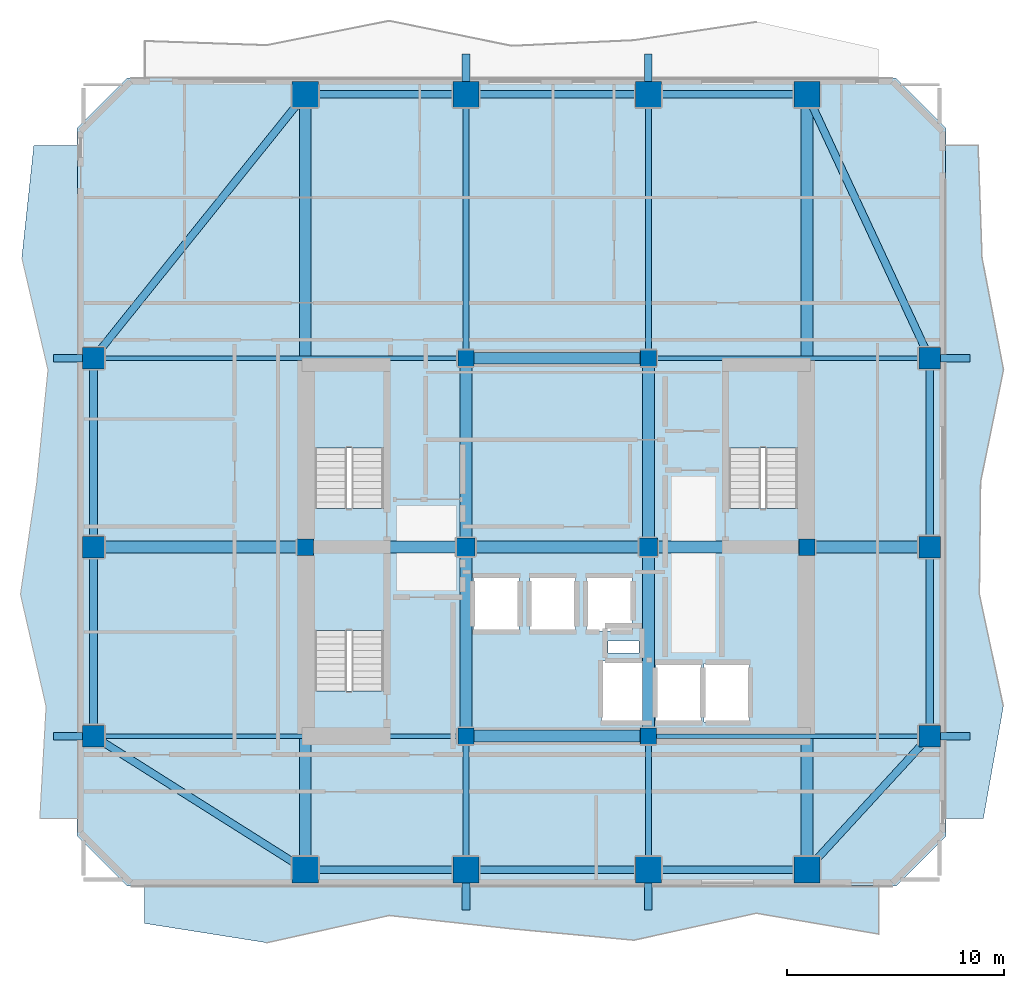
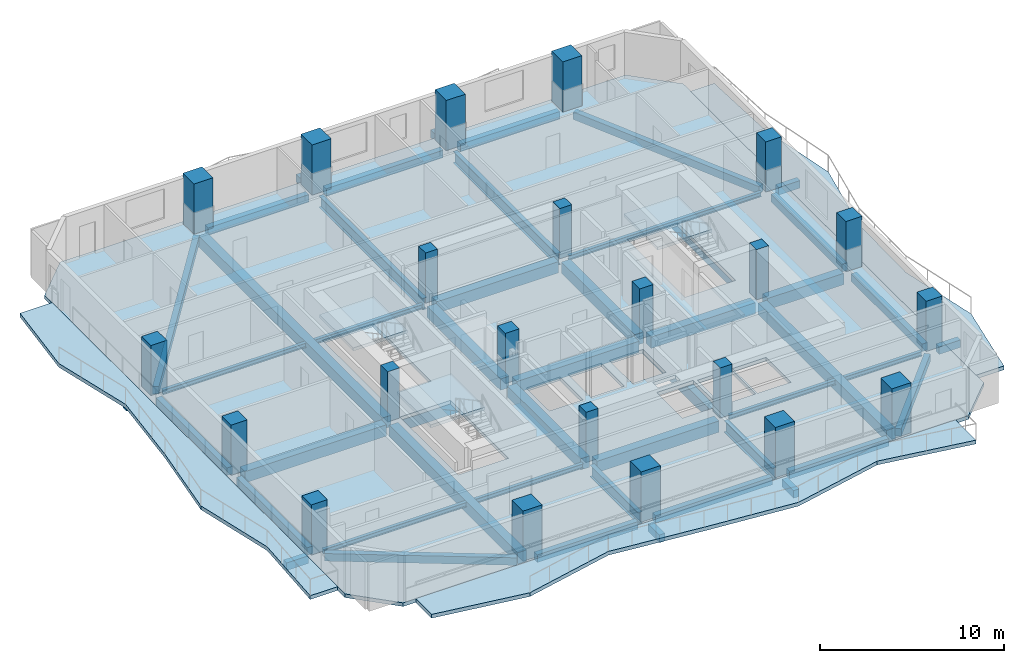
# One storey, part 1 of 10: 45 beams, 22 columns, 7 slabs, 3 elements without a shape of their own.
"""IFC4 building model written with IfcOpenShell, lengths in metres."""

from ifc_helpers import new_model, si_unit, direction, frame, origin, origin_2d, place, context, subcontext, project, spatial, polyline, rectangle, i_section, outline, extrude, material, layer, layer_set, material_profile, profile_set, type_object, element, aggregate, save


model = new_model("IFC4")

# Units and contexts
model_context = context("Model", 3, precision=1e-05, world=origin(), true_north=direction((0.0, 1.0)))
body_context = subcontext(model_context, "Body", "Model", "MODEL_VIEW")
ifc_project = project(units=[si_unit("LENGTHUNIT", "METRE"), si_unit("AREAUNIT", "SQUARE_METRE"), si_unit("VOLUMEUNIT", "CUBIC_METRE"), si_unit("PLANEANGLEUNIT", "RADIAN"), si_unit("MASSUNIT", "GRAM", prefix="KILO")], contexts=[model_context])

# Site, building, storey
site_placement = place(None, origin())
site = spatial("IfcSite", under=ifc_project, at=site_placement, CompositionType="ELEMENT")
building_placement = place(site_placement, origin())
building = spatial("IfcBuilding", under=site, at=building_placement, Name="Solanera Arch Residences", CompositionType="ELEMENT")
storey_placement = place(building_placement, frame((0.0, 0.0, 176.8798828125)))
storey = spatial("IfcBuildingStorey", under=building, at=storey_placement, Name="L51", CompositionType="ELEMENT", Elevation=176.8798828125)

# Columns
ifc_material_1 = material(Name="Concrete C55/67 (f'c = 60 MPa)", Category="concrete")
ifc_material_profile_1 = material_profile(ifc_material_1, rectangle(XDim=1.0, YDim=1.0, at=origin_2d()))
ifc_profile_set_1 = profile_set([ifc_material_profile_1], Name="Concrete C55/67 (f'c = 60 MPa)")
column_type_1 = type_object("IfcColumnType", Name="Structural Column RC-COL-1000X1000", PredefinedType="COLUMN", material=ifc_profile_set_1)
for number, where, z_axis, x_axis, name in (
    (1, (3.64990234375, 22.0, 0.0), (0.0, 0.0, 1.0), (1.0, 0.0, 0.0), "COL-L51-TWR-09"),
    (2, (42.14990234375, 22.0, 0.0), (0.0, 0.0, 1.0), (1.0, 0.0, 0.0), "COL-L51-TWR-10"),
    (3, (3.64990234375, 30.699951171875, 0.0), (0.0, 0.0, 1.0), (1.0, 0.0, 0.0), "COL-L51-TWR-11"),
    (4, (42.14990234375, 30.699951171875, 0.0), (0.0, 0.0, 1.0), (1.0, 0.0, 0.0), "COL-L51-TWR-12"),
    (5, (3.64990234375, 39.39990234375, 0.0), (0.0, 0.0, 1.0), (1.0, 0.0, 0.0), "COL-L51-TWR-13"),
    (6, (42.14990234375, 39.39990234375, 0.0), (0.0, 0.0, 1.0), (1.0, 0.0, 0.0), "COL-L51-TWR-14"),
):
    element("IfcColumn", number, at=place(storey_placement, frame(where, z_axis=z_axis, x_axis=x_axis)), inside=storey, type_object=column_type_1, Name=name, PredefinedType="COLUMN", context=body_context, shape_type="SweptSolid", body=[
        extrude(rectangle(XDim=1.0, YDim=1.0, at=origin_2d()), origin(), (0.0, 0.0, 1.0), 3.320068359375),
    ])
ifc_material_2 = material(Name="Concrete C55/67 (f'c = 60 MPa)", Category="concrete")
ifc_material_profile_2 = material_profile(ifc_material_2, rectangle(XDim=1.199951171875, YDim=1.199951171875, at=origin_2d()))
ifc_profile_set_2 = profile_set([ifc_material_profile_2], Name="Concrete C55/67 (f'c = 60 MPa)")
column_type_2 = type_object("IfcColumnType", Name="Structural Column RC-COL-1200X1200", PredefinedType="COLUMN", material=ifc_profile_set_2)
for number, where, z_axis, x_axis, name in (
    (7, (13.39990234375, 15.85009765625, 0.0), (0.0, 0.0, 1.0), (1.0, 0.0, 0.0), "COL-L51-TWR-01"),
    (8, (13.39990234375, 51.550048828125, 0.0), (0.0, 0.0, 1.0), (1.0, 0.0, 0.0), "COL-L51-TWR-02"),
    (9, (20.800048828125, 15.85009765625, 0.0), (0.0, 0.0, 1.0), (1.0, 0.0, 0.0), "COL-L51-TWR-03"),
    (10, (20.800048828125, 51.550048828125, 0.0), (0.0, 0.0, 1.0), (1.0, 0.0, 0.0), "COL-L51-TWR-04"),
    (11, (29.199951171875, 15.85009765625, 0.0), (0.0, 0.0, 1.0), (1.0, 0.0, 0.0), "COL-L51-TWR-05"),
    (12, (29.199951171875, 51.550048828125, 0.0), (0.0, 0.0, 1.0), (1.0, 0.0, 0.0), "COL-L51-TWR-06"),
    (13, (36.5, 15.85009765625, 0.0), (0.0, 0.0, 1.0), (1.0, 0.0, 0.0), "COL-L51-TWR-07"),
    (14, (36.5, 51.550048828125, 0.0), (0.0, 0.0, 1.0), (1.0, 0.0, 0.0), "COL-L51-TWR-08"),
):
    element("IfcColumn", number, at=place(storey_placement, frame(where, z_axis=z_axis, x_axis=x_axis)), inside=storey, type_object=column_type_2, Name=name, PredefinedType="COLUMN", context=body_context, shape_type="SweptSolid", body=[
        extrude(rectangle(XDim=1.199951171875, YDim=1.199951171875, at=origin_2d()), origin(), (0.0, 0.0, 1.0), 3.320068359375),
    ])
ifc_material_3 = material(Name="Concrete C40/50 (f'c = 45 MPa)", Category="concrete")
ifc_material_profile_3 = material_profile(ifc_material_3, rectangle(XDim=0.75, YDim=0.75, at=origin_2d()))
ifc_profile_set_3 = profile_set([ifc_material_profile_3], Name="Concrete C40/50 (f'c = 45 MPa)")
column_type_3 = type_object("IfcColumnType", Name="Structural Column RC-COL-750X750", PredefinedType="COLUMN", material=ifc_profile_set_3)
for number, where, z_axis, x_axis, name in (
    (15, (20.800048828125, 22.0, 0.0), (0.0, 0.0, 1.0), (1.0, 0.0, 0.0), "COL-L51-CB-SW"),
    (16, (29.199951171875, 22.0, 0.0), (0.0, 0.0, 1.0), (1.0, 0.0, 0.0), "COL-L51-CB-SE"),
    (17, (20.800048828125, 39.39990234375, 0.0), (0.0, 0.0, 1.0), (1.0, 0.0, 0.0), "COL-L51-CB-NW"),
    (18, (29.199951171875, 39.39990234375, 0.0), (0.0, 0.0, 1.0), (1.0, 0.0, 0.0), "COL-L51-CB-NE"),
    (19, (13.39990234375, 30.699951171875, 0.0), (0.0, 0.0, 1.0), (1.0, 0.0, 0.0), "COL-L51-CB-WW"),
    (20, (36.5, 30.699951171875, 0.0), (0.0, 0.0, 1.0), (1.0, 0.0, 0.0), "COL-L51-CB-EE"),
):
    element("IfcColumn", number, at=place(storey_placement, frame(where, z_axis=z_axis, x_axis=x_axis)), inside=storey, type_object=column_type_3, Name=name, PredefinedType="COLUMN", context=body_context, shape_type="SweptSolid", body=[
        extrude(rectangle(XDim=0.75, YDim=0.75, at=origin_2d()), origin(), (0.0, 0.0, 1.0), 3.320068359375),
    ])
ifc_material_4 = material(Name="Concrete C40/50 (f'c = 45 MPa)", Category="concrete")
ifc_material_profile_4 = material_profile(ifc_material_4, rectangle(XDim=0.85009765625, YDim=0.85009765625, at=origin_2d()))
ifc_profile_set_4 = profile_set([ifc_material_profile_4], Name="Concrete C40/50 (f'c = 45 MPa)")
column_type_4 = type_object("IfcColumnType", Name="Structural Column RC-COL-850X850", PredefinedType="COLUMN", material=ifc_profile_set_4)
for number, where, z_axis, x_axis, name in (
    (21, (20.800048828125, 30.699951171875, 0.0), (0.0, 0.0, 1.0), (1.0, 0.0, 0.0), "COL-L51-CORE-W"),
    (22, (29.199951171875, 30.699951171875, 0.0), (0.0, 0.0, 1.0), (1.0, 0.0, 0.0), "COL-L51-CORE-E"),
):
    element("IfcColumn", number, at=place(storey_placement, frame(where, z_axis=z_axis, x_axis=x_axis)), inside=storey, type_object=column_type_4, Name=name, PredefinedType="COLUMN", context=body_context, shape_type="SweptSolid", body=[
        extrude(rectangle(XDim=0.85009765625, YDim=0.85009765625, at=origin_2d()), origin(), (0.0, 0.0, 1.0), 3.320068359375),
    ])

# Beams
ifc_material_5 = material(Name="Concrete C40/50 (f'c = 45 MPa)", Category="concrete")
ifc_material_profile_5 = material_profile(ifc_material_5, rectangle(XDim=0.35009765625, YDim=0.5, at=origin_2d()))
ifc_profile_set_5 = profile_set([ifc_material_profile_5], Name="Concrete C40/50 (f'c = 45 MPa)")
beam_type_1 = type_object("IfcBeamType", Name="BM-BALC-RIB", PredefinedType="BEAM", material=ifc_profile_set_5)
for number, where, z_axis, x_axis, name in (
    (23, (20.800048828125, 14.0, -0.5), (0.0, 1.0, 0.0), (-1.0, 0.0, 0.0), "BM-L51-BRIB-S1"),
    (24, (29.199951171875, 14.0, -0.5), (0.0, 1.0, 0.0), (-1.0, 0.0, 0.0), "BM-L51-BRIB-S2"),
    (25, (20.800048828125, 52.14990234375, -0.5), (0.0, 1.0, 0.0), (-1.0, 0.0, 0.0), "BM-L51-BRIB-N1"),
    (26, (29.199951171875, 52.14990234375, -0.5), (0.0, 1.0, 0.0), (-1.0, 0.0, 0.0), "BM-L51-BRIB-N2"),
):
    element("IfcBeam", number, at=place(storey_placement, frame(where, z_axis=z_axis, x_axis=x_axis)), inside=storey, type_object=beam_type_1, Name=name, PredefinedType="BEAM", context=body_context, shape_type="SweptSolid", body=[
        extrude(rectangle(XDim=0.35009765625, YDim=0.5, at=origin_2d()), origin(), (0.0, 0.0, 1.0), 1.25),
    ])
for number, where, z_axis, x_axis, name in (
    (27, (42.64990234375, 22.0, -0.5), (1.0, 0.0, 0.0), (0.0, 1.0, 0.0), "BM-L51-BRIB-E1"),
    (28, (42.64990234375, 39.39990234375, -0.5), (1.0, 0.0, 0.0), (0.0, 1.0, 0.0), "BM-L51-BRIB-E2"),
):
    element("IfcBeam", number, at=place(storey_placement, frame(where, z_axis=z_axis, x_axis=x_axis)), inside=storey, type_object=beam_type_1, Name=name, PredefinedType="BEAM", context=body_context, shape_type="SweptSolid", body=[
        extrude(rectangle(XDim=0.35009765625, YDim=0.5, at=origin_2d()), origin(), (0.0, 0.0, 1.0), 1.35009765625),
    ])
for number, where, z_axis, x_axis, name in (
    (29, (1.800048828125, 22.0, -0.5), (1.0, 0.0, 0.0), (0.0, 1.0, 0.0), "BM-L51-BRIB-W1"),
    (30, (1.800048828125, 39.39990234375, -0.5), (1.0, 0.0, 0.0), (0.0, 1.0, 0.0), "BM-L51-BRIB-W2"),
):
    element("IfcBeam", number, at=place(storey_placement, frame(where, z_axis=z_axis, x_axis=x_axis)), inside=storey, type_object=beam_type_1, Name=name, PredefinedType="BEAM", context=body_context, shape_type="SweptSolid", body=[
        extrude(rectangle(XDim=0.35009765625, YDim=0.5, at=origin_2d()), origin(), (0.0, 0.0, 1.0), 1.349853515625),
    ])
ifc_material_6 = material(Name="Concrete C40/50 (f'c = 45 MPa)", Category="concrete")
ifc_material_profile_6 = material_profile(ifc_material_6, rectangle(XDim=0.550048828125, YDim=0.75, at=origin_2d()))
ifc_profile_set_6 = profile_set([ifc_material_profile_6], Name="Concrete C40/50 (f'c = 45 MPa)")
beam_type_2 = type_object("IfcBeamType", Name="Primary Beam RC-BM-550X750", PredefinedType="BEAM", material=ifc_profile_set_6)
beam_1_placement = place(storey_placement, frame((20.800048828125, 22.37890625, -0.614990234375), z_axis=(0.0, 1.0, 0.0), x_axis=(-1.0, 0.0, 0.0)))
element("IfcBeam", 31, at=beam_1_placement, inside=storey, type_object=beam_type_2, Name="BM-L51-CC-S-208", PredefinedType="BEAM", context=body_context, shape_type="SweptSolid", body=[
    extrude(rectangle(XDim=0.550048828125, YDim=0.75, at=origin_2d()), origin(), (0.0, 0.0, 1.0), 7.942138671875),
])
beam_2_placement = place(storey_placement, frame((20.800048828125, 31.0791015625, -0.614990234375), z_axis=(0.0, 1.0, 0.0), x_axis=(-1.0, 0.0, 0.0)))
element("IfcBeam", 32, at=beam_2_placement, inside=storey, type_object=beam_type_2, Name="BM-L51-CC-N-208", PredefinedType="BEAM", context=body_context, shape_type="SweptSolid", body=[
    extrude(rectangle(XDim=0.550048828125, YDim=0.75, at=origin_2d()), origin(), (0.0, 0.0, 1.0), 7.94189453125),
])
beam_3_placement = place(storey_placement, frame((29.199951171875, 22.37890625, -0.614990234375), z_axis=(0.0, 1.0, 0.0), x_axis=(-1.0, 0.0, 0.0)))
element("IfcBeam", 33, at=beam_3_placement, inside=storey, type_object=beam_type_2, Name="BM-L51-CC-S-292", PredefinedType="BEAM", context=body_context, shape_type="SweptSolid", body=[
    extrude(rectangle(XDim=0.550048828125, YDim=0.75, at=origin_2d()), origin(), (0.0, 0.0, 1.0), 7.942138671875),
])
beam_4_placement = place(storey_placement, frame((29.199951171875, 31.0791015625, -0.614990234375), z_axis=(0.0, 1.0, 0.0), x_axis=(-1.0, 0.0, 0.0)))
element("IfcBeam", 34, at=beam_4_placement, inside=storey, type_object=beam_type_2, Name="BM-L51-CC-N-292", PredefinedType="BEAM", context=body_context, shape_type="SweptSolid", body=[
    extrude(rectangle(XDim=0.550048828125, YDim=0.75, at=origin_2d()), origin(), (0.0, 0.0, 1.0), 7.94189453125),
])
for number, where, z_axis, x_axis, name in (
    (35, (21.178955078125, 22.0, -0.614990234375), (1.0, 0.0, 0.0), (0.0, 1.0, 0.0), "BM-L51-CC-M-220"),
    (36, (21.178955078125, 30.699951171875, -0.614990234375), (1.0, 0.0, 0.0), (0.0, 1.0, 0.0), "BM-L51-CC-M-307"),
    (37, (21.178955078125, 39.39990234375, -0.614990234375), (1.0, 0.0, 0.0), (0.0, 1.0, 0.0), "BM-L51-CC-M-394"),
):
    element("IfcBeam", number, at=place(storey_placement, frame(where, z_axis=z_axis, x_axis=x_axis)), inside=storey, type_object=beam_type_2, Name=name, PredefinedType="BEAM", context=body_context, shape_type="SweptSolid", body=[
        extrude(rectangle(XDim=0.550048828125, YDim=0.75, at=origin_2d()), origin(), (0.0, 0.0, 1.0), 7.64208984375),
    ])
beam_5_placement = place(storey_placement, frame((13.779052734375, 30.699951171875, -0.614990234375), z_axis=(1.0, 0.0, 0.0), x_axis=(0.0, 1.0, 0.0)))
element("IfcBeam", 38, at=beam_5_placement, inside=storey, type_object=beam_type_2, Name="BM-L51-CC-W", PredefinedType="BEAM", context=body_context, shape_type="SweptSolid", body=[
    extrude(rectangle(XDim=0.550048828125, YDim=0.75, at=origin_2d()), origin(), (0.0, 0.0, 1.0), 6.641845703125),
])
beam_6_placement = place(storey_placement, frame((29.5791015625, 30.699951171875, -0.614990234375), z_axis=(1.0, 0.0, 0.0), x_axis=(0.0, 1.0, 0.0)))
element("IfcBeam", 39, at=beam_6_placement, inside=storey, type_object=beam_type_2, Name="BM-L51-CC-E", PredefinedType="BEAM", context=body_context, shape_type="SweptSolid", body=[
    extrude(rectangle(XDim=0.550048828125, YDim=0.75, at=origin_2d()), origin(), (0.0, 0.0, 1.0), 6.5419921875),
])
beam_7_placement = place(storey_placement, frame((13.39990234375, 16.389892578125, -0.614990234375), z_axis=(0.0, 1.0, 0.0), x_axis=(-1.0, 0.0, 0.0)))
element("IfcBeam", 40, at=beam_7_placement, inside=storey, type_object=beam_type_2, Name="BM-L51-RAD-OS-134", PredefinedType="BEAM", context=body_context, shape_type="SweptSolid", body=[
    extrude(rectangle(XDim=0.550048828125, YDim=0.75, at=origin_2d()), origin(), (0.0, 0.0, 1.0), 13.93115234375),
])
beam_8_placement = place(storey_placement, frame((13.39990234375, 31.0791015625, -0.614990234375), z_axis=(0.0, 1.0, 0.0), x_axis=(-1.0, 0.0, 0.0)))
element("IfcBeam", 41, at=beam_8_placement, inside=storey, type_object=beam_type_2, Name="BM-L51-RAD-ON-134", PredefinedType="BEAM", context=body_context, shape_type="SweptSolid", body=[
    extrude(rectangle(XDim=0.550048828125, YDim=0.75, at=origin_2d()), origin(), (0.0, 0.0, 1.0), 19.930908203125),
])
beam_9_placement = place(storey_placement, frame((36.5, 16.389892578125, -0.614990234375), z_axis=(0.0, 1.0, 0.0), x_axis=(-1.0, 0.0, 0.0)))
element("IfcBeam", 42, at=beam_9_placement, inside=storey, type_object=beam_type_2, Name="BM-L51-RAD-OS-365", PredefinedType="BEAM", context=body_context, shape_type="SweptSolid", body=[
    extrude(rectangle(XDim=0.550048828125, YDim=0.75, at=origin_2d()), origin(), (0.0, 0.0, 1.0), 13.93115234375),
])
beam_10_placement = place(storey_placement, frame((36.5, 31.0791015625, -0.614990234375), z_axis=(0.0, 1.0, 0.0), x_axis=(-1.0, 0.0, 0.0)))
element("IfcBeam", 43, at=beam_10_placement, inside=storey, type_object=beam_type_2, Name="BM-L51-RAD-ON-365", PredefinedType="BEAM", context=body_context, shape_type="SweptSolid", body=[
    extrude(rectangle(XDim=0.550048828125, YDim=0.75, at=origin_2d()), origin(), (0.0, 0.0, 1.0), 19.930908203125),
])
beam_11_placement = place(storey_placement, frame((4.154052734375, 30.699951171875, -0.614990234375), z_axis=(1.0, 0.0, 0.0), x_axis=(0.0, 1.0, 0.0)))
element("IfcBeam", 44, at=beam_11_placement, inside=storey, type_object=beam_type_2, Name="BM-L51-RAD-MW", PredefinedType="BEAM", context=body_context, shape_type="SweptSolid", body=[
    extrude(rectangle(XDim=0.550048828125, YDim=0.75, at=origin_2d()), origin(), (0.0, 0.0, 1.0), 8.866943359375),
])
beam_12_placement = place(storey_placement, frame((36.87890625, 30.699951171875, -0.614990234375), z_axis=(1.0, 0.0, 0.0), x_axis=(0.0, 1.0, 0.0)))
element("IfcBeam", 45, at=beam_12_placement, inside=storey, type_object=beam_type_2, Name="BM-L51-RAD-ME", PredefinedType="BEAM", context=body_context, shape_type="SweptSolid", body=[
    extrude(rectangle(XDim=0.550048828125, YDim=0.75, at=origin_2d()), origin(), (0.0, 0.0, 1.0), 4.76708984375),
])
ifc_material_7 = material(Name="Steel S355 (ASTM A992 / A572 Grade 50)", Category="steel")
ifc_material_profile_7 = material_profile(ifc_material_7, i_section(OverallWidth=0.26806640625, OverallDepth=0.77001953125, WebThickness=0.015625, FlangeThickness=0.025390625, at=origin_2d()))
ifc_profile_set_7 = profile_set([ifc_material_profile_7], Name="Steel S355 (ASTM A992 / A572 Grade 50)")
beam_type_3 = type_object("IfcBeamType", Name="Primary Beam W760X196", PredefinedType="BEAM", material=ifc_profile_set_7)
beam_13_placement = place(storey_placement, frame((20.800048828125, 16.389892578125, -0.625), z_axis=(0.0, 1.0, 0.0), x_axis=(-1.0, 0.0, 0.0)))
element("IfcBeam", 46, at=beam_13_placement, inside=storey, type_object=beam_type_3, Name="BM-L51-RAD-S-208", PredefinedType="BEAM", context=body_context, shape_type="SweptSolid", body=[
    extrude(i_section(OverallWidth=0.26806640625, OverallDepth=0.77001953125, WebThickness=0.015625, FlangeThickness=0.025390625, at=origin_2d()), origin(), (0.0, 0.0, 1.0), 5.231201171875),
])
beam_14_placement = place(storey_placement, frame((20.800048828125, 39.779052734375, -0.625), z_axis=(0.0, 1.0, 0.0), x_axis=(-1.0, 0.0, 0.0)))
element("IfcBeam", 47, at=beam_14_placement, inside=storey, type_object=beam_type_3, Name="BM-L51-RAD-N-208", PredefinedType="BEAM", context=body_context, shape_type="SweptSolid", body=[
    extrude(i_section(OverallWidth=0.26806640625, OverallDepth=0.77001953125, WebThickness=0.015625, FlangeThickness=0.025390625, at=origin_2d()), origin(), (0.0, 0.0, 1.0), 11.23095703125),
])
beam_15_placement = place(storey_placement, frame((29.199951171875, 16.389892578125, -0.625), z_axis=(0.0, 1.0, 0.0), x_axis=(-1.0, 0.0, 0.0)))
element("IfcBeam", 48, at=beam_15_placement, inside=storey, type_object=beam_type_3, Name="BM-L51-RAD-S-292", PredefinedType="BEAM", context=body_context, shape_type="SweptSolid", body=[
    extrude(i_section(OverallWidth=0.26806640625, OverallDepth=0.77001953125, WebThickness=0.015625, FlangeThickness=0.025390625, at=origin_2d()), origin(), (0.0, 0.0, 1.0), 5.231201171875),
])
beam_16_placement = place(storey_placement, frame((29.199951171875, 39.779052734375, -0.625), z_axis=(0.0, 1.0, 0.0), x_axis=(-1.0, 0.0, 0.0)))
element("IfcBeam", 49, at=beam_16_placement, inside=storey, type_object=beam_type_3, Name="BM-L51-RAD-N-292", PredefinedType="BEAM", context=body_context, shape_type="SweptSolid", body=[
    extrude(i_section(OverallWidth=0.26806640625, OverallDepth=0.77001953125, WebThickness=0.015625, FlangeThickness=0.025390625, at=origin_2d()), origin(), (0.0, 0.0, 1.0), 11.23095703125),
])
ifc_material_8 = material(Name="Steel S355 (ASTM A992 / A572 Grade 50)", Category="steel")
ifc_material_profile_8 = material_profile(ifc_material_8, i_section(OverallWidth=0.202880859375, OverallDepth=0.302978515625, WebThickness=0.007568359375, FlangeThickness=0.01318359375, at=origin_2d()))
ifc_profile_set_8 = profile_set([ifc_material_profile_8], Name="Steel S355 (ASTM A992 / A572 Grade 50)")
beam_type_4 = type_object("IfcBeamType", Name="Secondary Joist W310X60", PredefinedType="JOIST", material=ifc_profile_set_8)
beam_17_placement = place(storey_placement, frame((4.154052734375, 22.0, -0.391845703125), z_axis=(1.0, 0.0, 0.0), x_axis=(0.0, 1.0, 0.0)))
element("IfcBeam", 50, at=beam_17_placement, inside=storey, type_object=beam_type_4, Name="BM-L51-RAD-W-220", PredefinedType="JOIST", context=body_context, shape_type="SweptSolid", body=[
    extrude(i_section(OverallWidth=0.202880859375, OverallDepth=0.302978515625, WebThickness=0.007568359375, FlangeThickness=0.01318359375, at=origin_2d()), origin(), (0.0, 0.0, 1.0), 16.266845703125),
])
beam_18_placement = place(storey_placement, frame((29.5791015625, 22.0, -0.391845703125), z_axis=(1.0, 0.0, 0.0), x_axis=(0.0, 1.0, 0.0)))
element("IfcBeam", 51, at=beam_18_placement, inside=storey, type_object=beam_type_4, Name="BM-L51-RAD-E-220", PredefinedType="JOIST", context=body_context, shape_type="SweptSolid", body=[
    extrude(i_section(OverallWidth=0.202880859375, OverallDepth=0.302978515625, WebThickness=0.007568359375, FlangeThickness=0.01318359375, at=origin_2d()), origin(), (0.0, 0.0, 1.0), 12.06689453125),
])
beam_19_placement = place(storey_placement, frame((4.154052734375, 39.39990234375, -0.391845703125), z_axis=(1.0, 0.0, 0.0), x_axis=(0.0, 1.0, 0.0)))
element("IfcBeam", 52, at=beam_19_placement, inside=storey, type_object=beam_type_4, Name="BM-L51-RAD-W-394", PredefinedType="JOIST", context=body_context, shape_type="SweptSolid", body=[
    extrude(i_section(OverallWidth=0.202880859375, OverallDepth=0.302978515625, WebThickness=0.007568359375, FlangeThickness=0.01318359375, at=origin_2d()), origin(), (0.0, 0.0, 1.0), 16.266845703125),
])
beam_20_placement = place(storey_placement, frame((29.5791015625, 39.39990234375, -0.391845703125), z_axis=(1.0, 0.0, 0.0), x_axis=(0.0, 1.0, 0.0)))
element("IfcBeam", 53, at=beam_20_placement, inside=storey, type_object=beam_type_4, Name="BM-L51-RAD-E-394", PredefinedType="JOIST", context=body_context, shape_type="SweptSolid", body=[
    extrude(i_section(OverallWidth=0.202880859375, OverallDepth=0.302978515625, WebThickness=0.007568359375, FlangeThickness=0.01318359375, at=origin_2d()), origin(), (0.0, 0.0, 1.0), 12.06689453125),
])
ifc_material_9 = material(Name="Concrete C40/50 (f'c = 45 MPa)", Category="concrete")
ifc_material_profile_9 = material_profile(ifc_material_9, rectangle(XDim=0.35009765625, YDim=0.5, at=origin_2d()))
ifc_profile_set_9 = profile_set([ifc_material_profile_9], Name="Concrete C40/50 (f'c = 45 MPa)")
beam_type_5 = type_object("IfcBeamType", Name="Spandrel Beam RC-BM-350X500", PredefinedType="SPANDREL", material=ifc_profile_set_9)
for number, where, z_axis, x_axis, name in (
    (54, (13.93994140625, 15.85009765625, -0.489990234375), (1.0, 0.0, 0.0), (0.0, 1.0, 0.0), "BM-L51-SPN-S-1"),
    (55, (13.93994140625, 51.550048828125, -0.489990234375), (1.0, 0.0, 0.0), (0.0, 1.0, 0.0), "BM-L51-SPN-N-1"),
):
    element("IfcBeam", number, at=place(storey_placement, frame(where, z_axis=z_axis, x_axis=x_axis)), inside=storey, type_object=beam_type_5, Name=name, PredefinedType="SPANDREL", context=body_context, shape_type="SweptSolid", body=[
        extrude(rectangle(XDim=0.35009765625, YDim=0.5, at=origin_2d()), origin(), (0.0, 0.0, 1.0), 6.320068359375),
    ])
for number, where, z_axis, x_axis, name in (
    (56, (21.340087890625, 15.85009765625, -0.489990234375), (1.0, 0.0, 0.0), (0.0, 1.0, 0.0), "BM-L51-SPN-S-2"),
    (57, (21.340087890625, 51.550048828125, -0.489990234375), (1.0, 0.0, 0.0), (0.0, 1.0, 0.0), "BM-L51-SPN-N-2"),
):
    element("IfcBeam", number, at=place(storey_placement, frame(where, z_axis=z_axis, x_axis=x_axis)), inside=storey, type_object=beam_type_5, Name=name, PredefinedType="SPANDREL", context=body_context, shape_type="SweptSolid", body=[
        extrude(rectangle(XDim=0.35009765625, YDim=0.5, at=origin_2d()), origin(), (0.0, 0.0, 1.0), 7.31982421875),
    ])
for number, where, z_axis, x_axis, name in (
    (58, (29.739990234375, 15.85009765625, -0.489990234375), (1.0, 0.0, 0.0), (0.0, 1.0, 0.0), "BM-L51-SPN-S-3"),
    (59, (29.739990234375, 51.550048828125, -0.489990234375), (1.0, 0.0, 0.0), (0.0, 1.0, 0.0), "BM-L51-SPN-N-3"),
):
    element("IfcBeam", number, at=place(storey_placement, frame(where, z_axis=z_axis, x_axis=x_axis)), inside=storey, type_object=beam_type_5, Name=name, PredefinedType="SPANDREL", context=body_context, shape_type="SweptSolid", body=[
        extrude(rectangle(XDim=0.35009765625, YDim=0.5, at=origin_2d()), origin(), (0.0, 0.0, 1.0), 6.219970703125),
    ])
for number, where, z_axis, x_axis, name in (
    (60, (3.64990234375, 22.50390625, -0.489990234375), (0.0, 1.0, 0.0), (-1.0, 0.0, 0.0), "BM-L51-SPN-W-1"),
    (61, (42.14990234375, 22.50390625, -0.489990234375), (0.0, 1.0, 0.0), (-1.0, 0.0, 0.0), "BM-L51-SPN-E-1"),
):
    element("IfcBeam", number, at=place(storey_placement, frame(where, z_axis=z_axis, x_axis=x_axis)), inside=storey, type_object=beam_type_5, Name=name, PredefinedType="SPANDREL", context=body_context, shape_type="SweptSolid", body=[
        extrude(rectangle(XDim=0.35009765625, YDim=0.5, at=origin_2d()), origin(), (0.0, 0.0, 1.0), 7.692138671875),
    ])
for number, where, z_axis, x_axis, name in (
    (62, (3.64990234375, 31.2041015625, -0.489990234375), (0.0, 1.0, 0.0), (-1.0, 0.0, 0.0), "BM-L51-SPN-W-2"),
    (63, (42.14990234375, 31.2041015625, -0.489990234375), (0.0, 1.0, 0.0), (-1.0, 0.0, 0.0), "BM-L51-SPN-E-2"),
):
    element("IfcBeam", number, at=place(storey_placement, frame(where, z_axis=z_axis, x_axis=x_axis)), inside=storey, type_object=beam_type_5, Name=name, PredefinedType="SPANDREL", context=body_context, shape_type="SweptSolid", body=[
        extrude(rectangle(XDim=0.35009765625, YDim=0.5, at=origin_2d()), origin(), (0.0, 0.0, 1.0), 7.69189453125),
    ])
beam_21_placement = place(storey_placement, frame((12.943115234375, 16.137939453125, -0.489990234375), z_axis=(-0.845781416305, 0.53352956416, 0.0), x_axis=(-0.53352956416, -0.845781416305, 0.0)))
element("IfcBeam", 64, at=beam_21_placement, inside=storey, type_object=beam_type_5, Name="BM-L51-SPN-SW", PredefinedType="SPANDREL", context=body_context, shape_type="SweptSolid", body=[
    extrude(rectangle(XDim=0.35009765625, YDim=0.5, at=origin_2d()), origin(), (0.0, 0.0, 1.0), 10.447265625),
])
beam_22_placement = place(storey_placement, frame((13.06201171875, 51.12890625, -0.489990234375), z_axis=(-0.625858715022, -0.77993645179, 0.0), x_axis=(0.77993645179, -0.625858715022, 0.0)))
element("IfcBeam", 65, at=beam_22_placement, inside=storey, type_object=beam_type_5, Name="BM-L51-SPN-NW", PredefinedType="SPANDREL", context=body_context, shape_type="SweptSolid", body=[
    extrude(rectangle(XDim=0.35009765625, YDim=0.5, at=origin_2d()), origin(), (0.0, 0.0, 1.0), 14.49853515625),
])
beam_23_placement = place(storey_placement, frame((36.864990234375, 16.248046875, -0.489990234375), z_axis=(0.67662725737, 0.736325712293, 0.0), x_axis=(-0.736325712293, 0.67662725737, 0.0)))
element("IfcBeam", 66, at=beam_23_placement, inside=storey, type_object=beam_type_5, Name="BM-L51-SPN-SE", PredefinedType="SPANDREL", context=body_context, shape_type="SweptSolid", body=[
    extrude(rectangle(XDim=0.35009765625, YDim=0.5, at=origin_2d()), origin(), (0.0, 0.0, 1.0), 7.271240234375),
])
beam_24_placement = place(storey_placement, frame((36.72802734375, 51.06005859375, -0.489990234375), z_axis=(0.421641700363, -0.906762524874, 0.0), x_axis=(0.906762524874, 0.421641700363, 0.0)))
element("IfcBeam", 67, at=beam_24_placement, inside=storey, type_object=beam_type_5, Name="BM-L51-SPN-NE", PredefinedType="SPANDREL", context=body_context, shape_type="SweptSolid", body=[
    extrude(rectangle(XDim=0.35009765625, YDim=0.5, at=origin_2d()), origin(), (0.0, 0.0, 1.0), 12.31884765625),
])

# Slabs
ifc_material_10 = material(Name="Concrete C40/50 (f'c = 45 MPa)", Category="concrete")
ifc_layer_1 = layer(ifc_material_10, 0.25)
ifc_layer_set_1 = layer_set([ifc_layer_1], Name="Concrete C40/50 (f'c = 45 MPa)")
slab_type_1 = type_object("IfcSlabType", Name="Balcony Slab 250", PredefinedType="FLOOR", material=ifc_layer_set_1)
slab_1_placement = place(storey_placement, frame((0.0, 0.0, -0.25)))
element("IfcSlab", 68, at=slab_1_placement, inside=storey, type_object=slab_type_1, Name="L51 S Rippling Brise-Soleil Balcony Slab", PredefinedType="FLOOR", context=body_context, shape_type="SweptSolid", body=[
    extrude(outline(polyline([(6.0, 13.37890625), (11.633056640625, 12.488037109375), (17.26708984375, 13.7451171875), (22.89990234375, 13.132080078125), (28.532958984375, 12.60791015625), (34.1669921875, 13.847900390625), (39.800048828125, 12.887939453125), (39.800048828125, 15.1201171875), (6.0, 15.1201171875), (6.0, 13.37890625)])), origin(), (0.0, 0.0, 1.0), 0.25),
])
slab_2_placement = place(storey_placement, frame((0.0, 0.0, -0.25)))
element("IfcSlab", 69, at=slab_2_placement, inside=storey, type_object=slab_type_1, Name="L51 E Rippling Brise-Soleil Balcony Slab", PredefinedType="FLOOR", context=body_context, shape_type="SweptSolid", body=[
    extrude(outline(polyline([(44.62109375, 18.199951171875), (45.54296875, 23.366943359375), (44.43798828125, 28.532958984375), (44.492919921875, 33.699951171875), (45.549072265625, 38.866943359375), (44.56005859375, 44.032958984375), (44.37890625, 49.199951171875), (42.8798828125, 49.199951171875), (42.8798828125, 18.199951171875), (44.62109375, 18.199951171875)])), origin(), (0.0, 0.0, 1.0), 0.25),
])
slab_3_placement = place(storey_placement, frame((0.0, 0.0, -0.25)))
element("IfcSlab", 70, at=slab_3_placement, inside=storey, type_object=slab_type_1, Name="L51 W Rippling Brise-Soleil Balcony Slab", PredefinedType="FLOOR", context=body_context, shape_type="SweptSolid", body=[
    extrude(outline(polyline([(0.904052734375, 49.199951171875), (0.35009765625, 44.032958984375), (1.554931640625, 38.866943359375), (1.04296875, 33.699951171875), (0.291015625, 28.532958984375), (1.468994140625, 23.366943359375), (1.178955078125, 18.199951171875), (2.919921875, 18.199951171875), (2.919921875, 49.199951171875), (0.904052734375, 49.199951171875)])), origin(), (0.0, 0.0, 1.0), 0.25),
])

# Stair, slab
ifc_material_11 = material(Name="Concrete C40/50 (f'c = 45 MPa)", Category="concrete")
stair_type = type_object("IfcStairType", Name="Tower Dogleg Exit Stair 1480", PredefinedType="HALF_TURN_STAIR", material=ifc_material_11)
stair_1_placement = place(storey_placement, origin())
stair_1 = element("IfcStair", 71, at=stair_1_placement, inside=storey, type_object=stair_type, Name="L51 Tower Core Exit Stair 1", PredefinedType="HALF_TURN_STAIR")
ifc_material_12 = material(Name="Concrete C40/50 (f'c = 45 MPa)", Category="concrete")
ifc_layer_2 = layer(ifc_material_12, 0.199951171875)
ifc_layer_set_2 = layer_set([ifc_layer_2], Name="Concrete C40/50 (f'c = 45 MPa)")
slab_type_2 = type_object("IfcSlabType", Name="Stair Half-Landing Slab 200", PredefinedType="LANDING", material=ifc_layer_set_2)
slab_4_placement = place(storey_placement, frame((0.0, 0.0, 1.460205078125)))
slab_4 = element("IfcSlab", 72, at=slab_4_placement, type_object=slab_type_2, Name="ST-T1 landing 1", PredefinedType="LANDING", context=body_context, shape_type="SweptSolid", body=[
    extrude(outline(polyline([(17.1201171875, 35.260009765625), (17.1201171875, 38.919921875), (13.719970703125, 38.919921875), (13.719970703125, 35.260009765625), (17.1201171875, 35.260009765625)])), origin(), (0.0, 0.0, 1.0), 0.199951171875),
])
aggregate(stair_1, [slab_4])

stair_2_placement = place(storey_placement, origin())
stair_2 = element("IfcStair", 73, at=stair_2_placement, inside=storey, type_object=stair_type, Name="L51 Tower Core Exit Stair 2", PredefinedType="HALF_TURN_STAIR")
slab_5_placement = place(storey_placement, frame((0.0, 0.0, 1.460205078125)))
slab_5 = element("IfcSlab", 74, at=slab_5_placement, type_object=slab_type_2, Name="ST-T2 landing 1", PredefinedType="LANDING", context=body_context, shape_type="SweptSolid", body=[
    extrude(outline(polyline([(36.179931640625, 35.260009765625), (36.179931640625, 38.919921875), (32.780029296875, 38.919921875), (32.780029296875, 35.260009765625), (36.179931640625, 35.260009765625)])), origin(), (0.0, 0.0, 1.0), 0.199951171875),
])
aggregate(stair_2, [slab_5])

stair_3_placement = place(storey_placement, origin())
stair_3 = element("IfcStair", 75, at=stair_3_placement, inside=storey, type_object=stair_type, Name="L51 Tower Core Exit Stair 3", PredefinedType="HALF_TURN_STAIR")
slab_6_placement = place(storey_placement, frame((0.0, 0.0, 1.460205078125)))
slab_6 = element("IfcSlab", 76, at=slab_6_placement, type_object=slab_type_2, Name="ST-T3 landing 1", PredefinedType="LANDING", context=body_context, shape_type="SweptSolid", body=[
    extrude(outline(polyline([(17.1201171875, 26.860107421875), (17.1201171875, 30.52001953125), (13.719970703125, 30.52001953125), (13.719970703125, 26.860107421875), (17.1201171875, 26.860107421875)])), origin(), (0.0, 0.0, 1.0), 0.199951171875),
])
aggregate(stair_3, [slab_6])

# Slab
ifc_material_13 = material(Name="Concrete C40/50 (f'c = 45 MPa)", Category="concrete")
ifc_layer_3 = layer(ifc_material_13, 0.239990234375)
ifc_layer_set_3 = layer_set([ifc_layer_3], Name="Concrete C40/50 (f'c = 45 MPa)")
slab_type_3 = type_object("IfcSlabType", Name="Suspended Floor Slab Post-Tensioned 240", PredefinedType="FLOOR", material=ifc_layer_set_3)
slab_7_placement = place(storey_placement, frame((0.0, 0.0, -0.239990234375)))
element("IfcSlab", 77, at=slab_7_placement, inside=storey, type_object=slab_type_3, Name="L51 Tower Post-Tensioned Floor Slab", PredefinedType="FLOOR", context=body_context, shape_type="SweptSolid", body=[
    extrude(outline(polyline([(5.199951171875, 15.10009765625), (40.60009765625, 15.10009765625), (42.89990234375, 17.39990234375), (42.89990234375, 50.0), (40.60009765625, 52.300048828125), (5.199951171875, 52.300048828125), (2.89990234375, 50.0), (2.89990234375, 17.39990234375), (5.199951171875, 15.10009765625)]), holes=[polyline([(13.840087890625, 32.48291015625), (13.840087890625, 38.800048828125), (17.0, 38.800048828125), (17.0, 32.48291015625), (13.840087890625, 32.48291015625)]), polyline([(32.89990234375, 32.48291015625), (32.89990234375, 38.800048828125), (36.06005859375, 38.800048828125), (36.06005859375, 32.48291015625), (32.89990234375, 32.48291015625)]), polyline([(13.840087890625, 24.0830078125), (13.840087890625, 30.39990234375), (17.0, 30.39990234375), (17.0, 24.0830078125), (13.840087890625, 24.0830078125)]), polyline([(21.14990234375, 29.35009765625), (23.25, 29.35009765625), (23.25, 26.85009765625), (21.14990234375, 26.85009765625), (21.14990234375, 29.35009765625)]), polyline([(23.75, 29.35009765625), (25.85009765625, 29.35009765625), (25.85009765625, 26.85009765625), (23.75, 26.85009765625), (23.75, 29.35009765625)]), polyline([(26.35009765625, 29.35009765625), (28.449951171875, 29.35009765625), (28.449951171875, 26.85009765625), (26.35009765625, 26.85009765625), (26.35009765625, 29.35009765625)]), polyline([(29.550048828125, 25.35009765625), (31.64990234375, 25.35009765625), (31.64990234375, 22.64990234375), (29.550048828125, 22.64990234375), (29.550048828125, 25.35009765625)]), polyline([(31.75, 25.35009765625), (33.85009765625, 25.35009765625), (33.85009765625, 22.64990234375), (31.75, 22.64990234375), (31.75, 25.35009765625)]), polyline([(27.050048828125, 25.449951171875), (29.35009765625, 25.449951171875), (29.35009765625, 22.64990234375), (27.050048828125, 22.64990234375), (27.050048828125, 25.449951171875)]), polyline([(27.340087890625, 26.3798828125), (28.760009765625, 26.3798828125), (28.760009765625, 25.820068359375), (27.340087890625, 25.820068359375), (27.340087890625, 26.3798828125)])]), origin(), (0.0, 0.0, 1.0), 0.239990234375),
])

save(model, "model.ifc")
